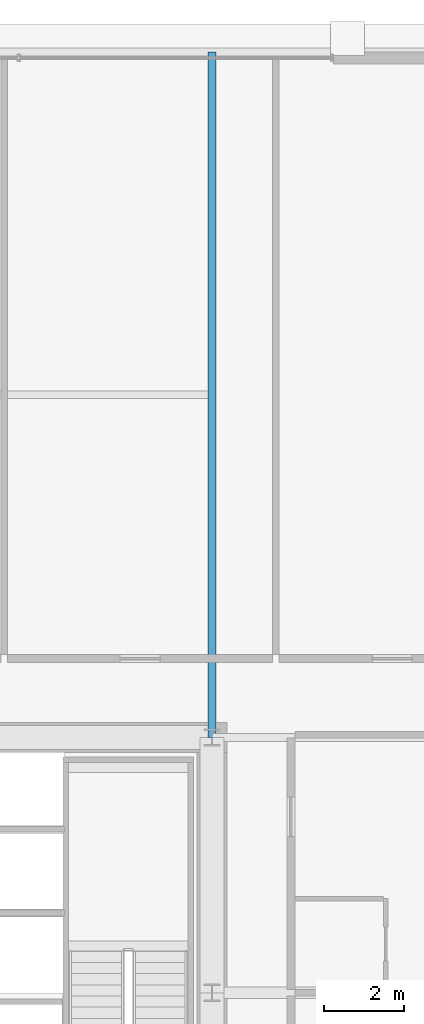
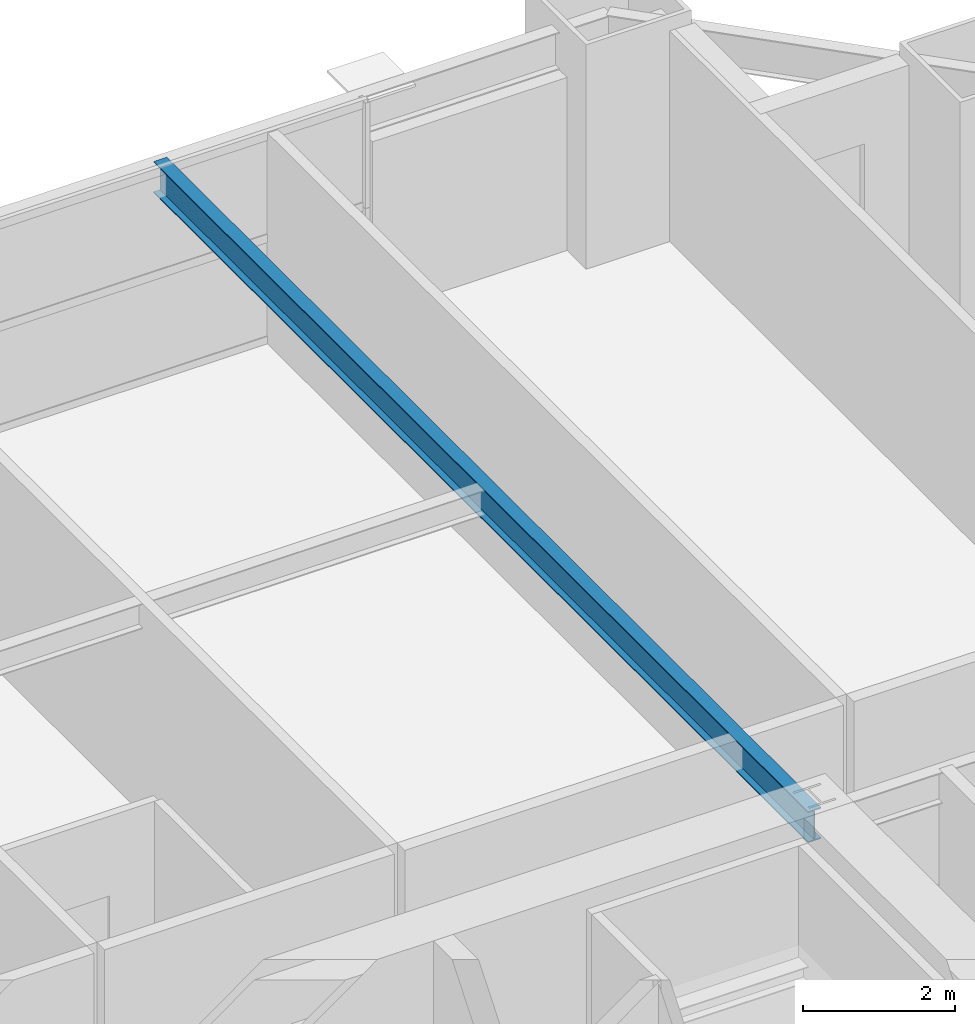
# One storey, part 27 of 38: 1 beam.
"""IFC4 building model written with IfcOpenShell, lengths in metres."""

from ifc_helpers import new_model, si_unit, direction, frame, origin, origin_2d, place, context, subcontext, project, spatial, i_section, extrude, source, transform, mapped, material, material_profile, profile_set, type_object, element, save


model = new_model("IFC4")

# Units and contexts
model_context = context("Model", 3, precision=1e-05, world=origin(), true_north=direction((0.0, 1.0)))
body_context = subcontext(model_context, "Body", "Model", "MODEL_VIEW")
ifc_project = project(units=[si_unit("LENGTHUNIT", "METRE"), si_unit("AREAUNIT", "SQUARE_METRE"), si_unit("VOLUMEUNIT", "CUBIC_METRE"), si_unit("PLANEANGLEUNIT", "RADIAN"), si_unit("MASSUNIT", "GRAM", prefix="KILO"), si_unit("THERMODYNAMICTEMPERATUREUNIT", "KELVIN"), si_unit("POWERUNIT", "WATT")], contexts=[model_context])

# Site, building, storey
site_placement = place(None, origin())
site = spatial("IfcSite", under=ifc_project, at=site_placement, CompositionType="ELEMENT")
building_placement = place(site_placement, origin())
building = spatial("IfcBuilding", under=site, at=building_placement, Name="Yuzanri Waterfront Tower", CompositionType="ELEMENT")
storey_placement = place(building_placement, frame((0.0, 0.0, 90.199951171875)))
storey = spatial("IfcBuildingStorey", under=building, at=storey_placement, Name="L23", CompositionType="ELEMENT", Elevation=90.199951171875)

# Beam
ifc_material = material(Name="Steel Q355B", Category="steel")
ifc_material_profile = material_profile(ifc_material, i_section(OverallWidth=0.199951171875, OverallDepth=0.5, WebThickness=0.010009765625, FlangeThickness=0.01611328125, at=origin_2d()), Name="HN 500x200x10x16")
ifc_profile_set = profile_set([ifc_material_profile], Name="Steel Q355B")
beam_type = type_object("IfcBeamType", Name="Secondary Floor Beam Q355B HN 500x200", PredefinedType="BEAM", material=ifc_profile_set)
shared_shape = source(origin(), body_context, "Body", "SweptSolid", [
    extrude(i_section(OverallWidth=0.199951171875, OverallDepth=0.5, WebThickness=0.010009765625, FlangeThickness=0.01611328125, at=origin_2d()), origin(), (0.0, 0.0, 1.0), 17.199951171875),
])
beam_placement = place(storey_placement, frame((50.199951171875, 32.199951171875, 3.130126953125), z_axis=(0.0, 1.0, 0.0), x_axis=(-1.0, 0.0, 0.0)))
element("IfcBeam", 1, at=beam_placement, inside=storey, type_object=beam_type, Name="L23 North-East Core Line Beam", PredefinedType="BEAM", context=body_context, shape_type="MappedRepresentation", body=[
    mapped(shared_shape, transform((0.0, 0.0, 0.0), scale=1.0)),
])

save(model, "model.ifc")
